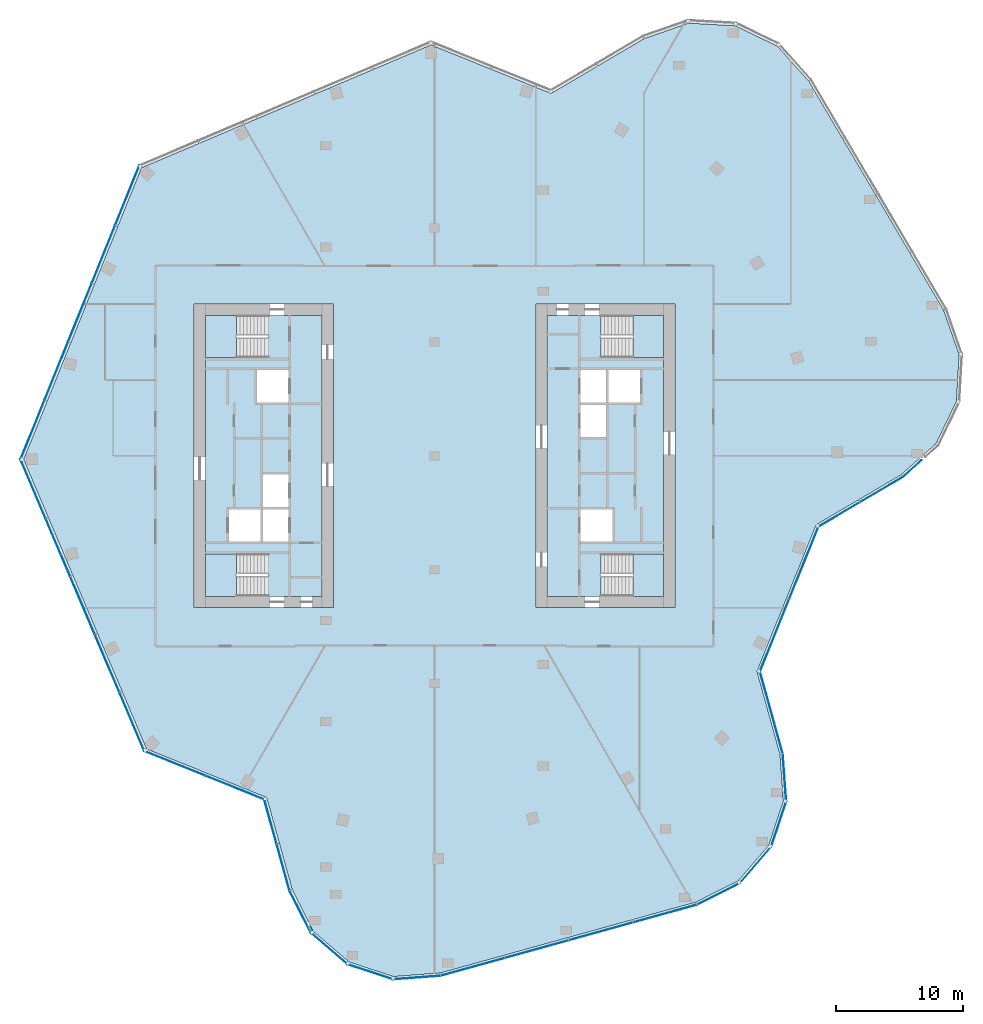
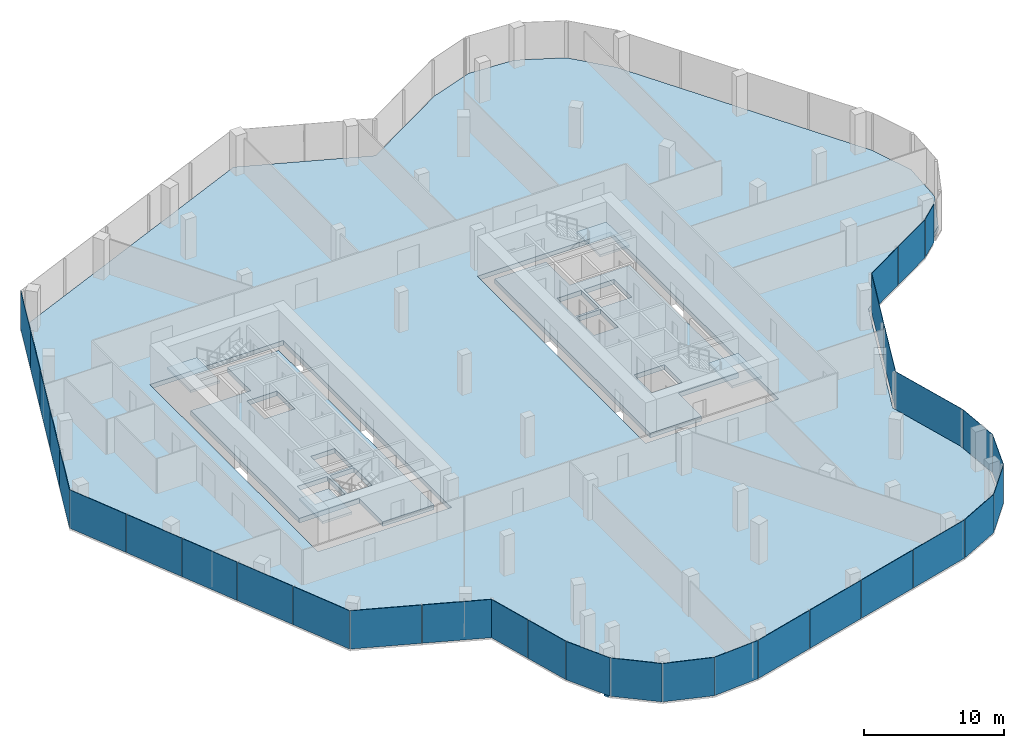
# One storey, part 10 of 16: 32 plates, 7 slabs, 1 member, 21 elements without a shape of their own.
"""IFC4 building model written with IfcOpenShell, lengths in metres."""

from ifc_helpers import new_model, si_unit, direction, frame, origin, origin_2d, place, context, subcontext, project, spatial, polyline, rectangle, outline, extrude, material, layer, layer_set, material_profile, profile_set, type_object, element, aggregate, save


model = new_model("IFC4")

# Units and contexts
model_context = context("Model", 3, precision=1e-05, world=origin(), true_north=direction((0.0, 1.0)))
body_context = subcontext(model_context, "Body", "Model", "MODEL_VIEW")
ifc_project = project(units=[si_unit("LENGTHUNIT", "METRE"), si_unit("AREAUNIT", "SQUARE_METRE"), si_unit("VOLUMEUNIT", "CUBIC_METRE"), si_unit("PLANEANGLEUNIT", "RADIAN"), si_unit("MASSUNIT", "GRAM", prefix="KILO")], contexts=[model_context])

# Site, building, storey
site_placement = place(None, origin())
site = spatial("IfcSite", under=ifc_project, at=site_placement, CompositionType="ELEMENT")
building_placement = place(site_placement, origin())
building = spatial("IfcBuilding", under=site, at=building_placement, Name="Orlundy Tower", CompositionType="ELEMENT")
storey_placement = place(building_placement, frame((0.0, 0.0, 285.89990234375)))
storey = spatial("IfcBuildingStorey", under=building, at=storey_placement, Name="L76", CompositionType="ELEMENT", Elevation=285.89990234375)

# Curtain wall, member
ifc_material_1 = material(Name="Aluminium bronze anodised", Category="aluminium")
curtain_wall_type = type_object("IfcCurtainWallType", Name="CW6 wall", PredefinedType="NOTDEFINED", material=ifc_material_1)
curtain_wall_1_placement = place(storey_placement, origin())
curtain_wall_1 = element("IfcCurtainWall", 1, at=curtain_wall_1_placement, inside=storey, type_object=curtain_wall_type, Name="CW6 run 011", PredefinedType="NOTDEFINED")
ifc_material_2 = material(Name="Aluminium bronze anodised", Category="aluminium")
ifc_material_profile = material_profile(ifc_material_2, rectangle(XDim=0.239990234375, YDim=0.159912109375, at=origin_2d()), Name="CW6 transom 240x160")
ifc_profile_set = profile_set([ifc_material_profile], Name="Aluminium bronze anodised")
member_type = type_object("IfcMemberType", Name="CW6 transom 240x160", PredefinedType="USERDEFINED", material=ifc_profile_set)
member_placement = place(storey_placement, frame((-9.7373046875, -37.5322265625, -0.31982421875), z_axis=(-0.450437701158, 0.892807861399, 0.0), x_axis=(-0.892807861399, -0.450437701158, 0.0)))
member = element("IfcMember", 2, at=member_placement, type_object=member_type, Name="CW6 transom", ObjectType="TRANSOM", PredefinedType="USERDEFINED", context=body_context, shape_type="SweptSolid", body=[
    extrude(rectangle(XDim=0.239990234375, YDim=0.159912109375, at=origin_2d()), origin(), (0.0, 0.0, 1.0), 0.363037109375),
])

# Curtain wall, plates
curtain_wall_2_placement = place(storey_placement, origin())
curtain_wall_2 = element("IfcCurtainWall", 3, at=curtain_wall_2_placement, inside=storey, type_object=curtain_wall_type, Name="CW6 run 00", PredefinedType="NOTDEFINED")
ifc_material_3 = material(Name="Tinted glass", Category="glass")
ifc_layer_1 = layer(ifc_material_3, 0.035888671875)
ifc_layer_set_1 = layer_set([ifc_layer_1], Name="CW6 glass panel 36")
plate_type = type_object("IfcPlateType", Name="CW6 glass panel 36", PredefinedType="CURTAIN_PANEL", material=ifc_layer_set_1)
plate_1_placement = place(storey_placement, frame((35.306396484375, -2.672607421875, -0.23974609375), z_axis=(0.0, 0.0, 1.0), x_axis=(-0.861613706628, -0.507564597416, 0.0)))
plate_1 = element("IfcPlate", 4, at=plate_1_placement, type_object=plate_type, Name="CW6 panel", PredefinedType="CURTAIN_PANEL", context=body_context, shape_type="SweptSolid", body=[
    extrude(rectangle(XDim=3.86376953125, YDim=0.035888671875, at=origin_2d()), origin(), (0.0, 0.0, 1.0), 3.340087890625),
])
plate_2_placement = place(storey_placement, frame((31.965087890625, -4.640869140625, -0.23974609375), z_axis=(0.0, 0.0, 1.0), x_axis=(-0.861613706628, -0.507564597416, 0.0)))
plate_2 = element("IfcPlate", 5, at=plate_2_placement, type_object=plate_type, Name="CW6 panel", PredefinedType="CURTAIN_PANEL", context=body_context, shape_type="SweptSolid", body=[
    extrude(rectangle(XDim=3.791748046875, YDim=0.035888671875, at=origin_2d()), origin(), (0.0, 0.0, 1.0), 3.340087890625),
])
aggregate(curtain_wall_2, [plate_1, plate_2])

curtain_wall_3_placement = place(storey_placement, origin())
curtain_wall_3 = element("IfcCurtainWall", 6, at=curtain_wall_3_placement, inside=storey, type_object=curtain_wall_type, Name="CW6 run 01", PredefinedType="NOTDEFINED")
plate_3_placement = place(storey_placement, frame((29.18115234375, -8.45068359375, -0.23974609375), z_axis=(0.0, 0.0, 1.0), x_axis=(-0.37457825326, -0.927195304229, 0.0)))
plate_3 = element("IfcPlate", 7, at=plate_3_placement, type_object=plate_type, Name="CW6 panel", PredefinedType="CURTAIN_PANEL", context=body_context, shape_type="SweptSolid", body=[
    extrude(rectangle(XDim=6.142578125, YDim=0.035888671875, at=origin_2d()), origin(), (0.0, 0.0, 1.0), 3.340087890625),
])
plate_4_placement = place(storey_placement, frame((26.861572265625, -14.192626953125, -0.23974609375), z_axis=(0.0, 0.0, 1.0), x_axis=(-0.37457825326, -0.927195304229, 0.0)))
plate_4 = element("IfcPlate", 8, at=plate_4_placement, type_object=plate_type, Name="CW6 panel", PredefinedType="CURTAIN_PANEL", context=body_context, shape_type="SweptSolid", body=[
    extrude(rectangle(XDim=6.142578125, YDim=0.035888671875, at=origin_2d()), origin(), (0.0, 0.0, 1.0), 3.340087890625),
])
aggregate(curtain_wall_3, [plate_3, plate_4])

# Curtain wall, plate
curtain_wall_4_placement = place(storey_placement, origin())
curtain_wall_4 = element("IfcCurtainWall", 9, at=curtain_wall_4_placement, inside=storey, type_object=curtain_wall_type, Name="CW6 run 02", PredefinedType="NOTDEFINED")
plate_5_placement = place(storey_placement, frame((26.607177734375, -20.27099609375, -0.23974609375), z_axis=(0.0, 0.0, 1.0), x_axis=(0.26725609635, -0.963625538767, 0.0)))
plate_5 = element("IfcPlate", 10, at=plate_5_placement, type_object=plate_type, Name="CW6 panel", PredefinedType="CURTAIN_PANEL", context=body_context, shape_type="SweptSolid", body=[
    extrude(rectangle(XDim=6.705078125, YDim=0.035888671875, at=origin_2d()), origin(), (0.0, 0.0, 1.0), 3.340087890625),
])
aggregate(curtain_wall_4, [plate_5])

curtain_wall_5_placement = place(storey_placement, origin())
curtain_wall_5 = element("IfcCurtainWall", 11, at=curtain_wall_5_placement, inside=storey, type_object=curtain_wall_type, Name="CW6 run 03", PredefinedType="NOTDEFINED")
plate_6_placement = place(storey_placement, frame((27.650146484375, -25.419677734375, -0.23974609375), z_axis=(0.0, 0.0, 1.0), x_axis=(0.073911430304, -0.997264809602, 0.0)))
plate_6 = element("IfcPlate", 12, at=plate_6_placement, type_object=plate_type, Name="CW6 panel", PredefinedType="CURTAIN_PANEL", context=body_context, shape_type="SweptSolid", body=[
    extrude(rectangle(XDim=3.748046875, YDim=0.035888671875, at=origin_2d()), origin(), (0.0, 0.0, 1.0), 3.340087890625),
])
aggregate(curtain_wall_5, [plate_6])

curtain_wall_6_placement = place(storey_placement, origin())
curtain_wall_6 = element("IfcCurtainWall", 13, at=curtain_wall_6_placement, inside=storey, type_object=curtain_wall_type, Name="CW6 run 04", PredefinedType="NOTDEFINED")
plate_7_placement = place(storey_placement, frame((27.19482421875, -29.090576171875, -0.23974609375), z_axis=(0.0, 0.0, 1.0), x_axis=(-0.312988116173, -0.949757042161, 0.0)))
plate_7 = element("IfcPlate", 14, at=plate_7_placement, type_object=plate_type, Name="CW6 panel", PredefinedType="CURTAIN_PANEL", context=body_context, shape_type="SweptSolid", body=[
    extrude(rectangle(XDim=3.79443359375, YDim=0.035888671875, at=origin_2d()), origin(), (0.0, 0.0, 1.0), 3.340087890625),
])
aggregate(curtain_wall_6, [plate_7])

curtain_wall_7_placement = place(storey_placement, origin())
curtain_wall_7 = element("IfcCurtainWall", 15, at=curtain_wall_7_placement, inside=storey, type_object=curtain_wall_type, Name="CW6 run 05", PredefinedType="NOTDEFINED")
plate_8_placement = place(storey_placement, frame((25.362060546875, -32.329833984375, -0.23974609375), z_axis=(0.0, 0.0, 1.0), x_axis=(-0.652832887024, -0.757501961463, 0.0)))
plate_8 = element("IfcPlate", 16, at=plate_8_placement, type_object=plate_type, Name="CW6 panel", PredefinedType="CURTAIN_PANEL", context=body_context, shape_type="SweptSolid", body=[
    extrude(rectangle(XDim=3.795166015625, YDim=0.035888671875, at=origin_2d()), origin(), (0.0, 0.0, 1.0), 3.340087890625),
])
aggregate(curtain_wall_7, [plate_8])

curtain_wall_8_placement = place(storey_placement, origin())
curtain_wall_8 = element("IfcCurtainWall", 17, at=curtain_wall_8_placement, inside=storey, type_object=curtain_wall_type, Name="CW6 run 06", PredefinedType="NOTDEFINED")
plate_9_placement = place(storey_placement, frame((22.4501953125, -34.610595703125, -0.23974609375), z_axis=(0.0, 0.0, 1.0), x_axis=(-0.893019858419, -0.450017257968, 0.0)))
plate_9 = element("IfcPlate", 18, at=plate_9_placement, type_object=plate_type, Name="CW6 panel", PredefinedType="CURTAIN_PANEL", context=body_context, shape_type="SweptSolid", body=[
    extrude(rectangle(XDim=3.747314453125, YDim=0.035888671875, at=origin_2d()), origin(), (0.0, 0.0, 1.0), 3.340087890625),
])
aggregate(curtain_wall_8, [plate_9])

# Curtain wall, plates
curtain_wall_9_placement = place(storey_placement, origin())
curtain_wall_9 = element("IfcCurtainWall", 19, at=curtain_wall_9_placement, inside=storey, type_object=curtain_wall_type, Name="CW6 run 07", PredefinedType="NOTDEFINED")
plate_10_placement = place(storey_placement, frame((18.21435546875, -36.16943359375, -0.23974609375), z_axis=(0.0, 0.0, 1.0), x_axis=(-0.963629710974, -0.267241052476, 0.0)))
plate_10 = element("IfcPlate", 20, at=plate_10_placement, type_object=plate_type, Name="CW6 panel", PredefinedType="CURTAIN_PANEL", context=body_context, shape_type="SweptSolid", body=[
    extrude(rectangle(XDim=5.2216796875, YDim=0.035888671875, at=origin_2d()), origin(), (0.0, 0.0, 1.0), 3.340087890625),
])
plate_11_placement = place(storey_placement, frame((13.144775390625, -37.575439453125, -0.23974609375), z_axis=(0.0, 0.0, 1.0), x_axis=(-0.963629710974, -0.267241052476, 0.0)))
plate_11 = element("IfcPlate", 21, at=plate_11_placement, type_object=plate_type, Name="CW6 panel", PredefinedType="CURTAIN_PANEL", context=body_context, shape_type="SweptSolid", body=[
    extrude(rectangle(XDim=5.199951171875, YDim=0.035888671875, at=origin_2d()), origin(), (0.0, 0.0, 1.0), 3.340087890625),
])
plate_12_placement = place(storey_placement, frame((8.0859375, -38.978515625, -0.23974609375), z_axis=(0.0, 0.0, 1.0), x_axis=(-0.963629710974, -0.267241052476, 0.0)))
plate_12 = element("IfcPlate", 22, at=plate_12_placement, type_object=plate_type, Name="CW6 panel", PredefinedType="CURTAIN_PANEL", context=body_context, shape_type="SweptSolid", body=[
    extrude(rectangle(XDim=5.199951171875, YDim=0.035888671875, at=origin_2d()), origin(), (0.0, 0.0, 1.0), 3.340087890625),
])
plate_13_placement = place(storey_placement, frame((3.016357421875, -40.38427734375, -0.23974609375), z_axis=(0.0, 0.0, 1.0), x_axis=(-0.963629710974, -0.267241052476, 0.0)))
plate_13 = element("IfcPlate", 23, at=plate_13_placement, type_object=plate_type, Name="CW6 panel", PredefinedType="CURTAIN_PANEL", context=body_context, shape_type="SweptSolid", body=[
    extrude(rectangle(XDim=5.2216796875, YDim=0.035888671875, at=origin_2d()), origin(), (0.0, 0.0, 1.0), 3.340087890625),
])
aggregate(curtain_wall_9, [plate_10, plate_11, plate_12, plate_13])

# Curtain wall, plate
curtain_wall_10_placement = place(storey_placement, origin())
curtain_wall_10 = element("IfcCurtainWall", 24, at=curtain_wall_10_placement, inside=storey, type_object=curtain_wall_type, Name="CW6 run 08", PredefinedType="NOTDEFINED")
plate_14_placement = place(storey_placement, frame((-1.417724609375, -41.229736328125, -0.23974609375), z_axis=(0.0, 0.0, 1.0), x_axis=(-0.99724489086, -0.074179698392, 0.0)))
plate_14 = element("IfcPlate", 25, at=plate_14_placement, type_object=plate_type, Name="CW6 panel", PredefinedType="CURTAIN_PANEL", context=body_context, shape_type="SweptSolid", body=[
    extrude(rectangle(XDim=3.748046875, YDim=0.035888671875, at=origin_2d()), origin(), (0.0, 0.0, 1.0), 3.340087890625),
])
aggregate(curtain_wall_10, [plate_14])

curtain_wall_11_placement = place(storey_placement, origin())
curtain_wall_11 = element("IfcCurtainWall", 26, at=curtain_wall_11_placement, inside=storey, type_object=curtain_wall_type, Name="CW6 run 09", PredefinedType="NOTDEFINED")
plate_15_placement = place(storey_placement, frame((-5.088623046875, -40.7744140625, -0.23974609375), z_axis=(0.0, 0.0, 1.0), x_axis=(-0.949676811134, 0.313231470951, 0.0)))
plate_15 = element("IfcPlate", 27, at=plate_15_placement, type_object=plate_type, Name="CW6 panel", PredefinedType="CURTAIN_PANEL", context=body_context, shape_type="SweptSolid", body=[
    extrude(rectangle(XDim=3.794921875, YDim=0.035888671875, at=origin_2d()), origin(), (0.0, 0.0, 1.0), 3.340087890625),
])
aggregate(curtain_wall_11, [plate_15])

curtain_wall_12_placement = place(storey_placement, origin())
curtain_wall_12 = element("IfcCurtainWall", 28, at=curtain_wall_12_placement, inside=storey, type_object=curtain_wall_type, Name="CW6 run 010", PredefinedType="NOTDEFINED")
plate_16_placement = place(storey_placement, frame((-8.327880859375, -38.941650390625, -0.23974609375), z_axis=(0.0, 0.0, 1.0), x_axis=(-0.757635374241, 0.652678052104, 0.0)))
plate_16 = element("IfcPlate", 29, at=plate_16_placement, type_object=plate_type, Name="CW6 panel", PredefinedType="CURTAIN_PANEL", context=body_context, shape_type="SweptSolid", body=[
    extrude(rectangle(XDim=3.794677734375, YDim=0.035888671875, at=origin_2d()), origin(), (0.0, 0.0, 1.0), 3.340087890625),
])
aggregate(curtain_wall_12, [plate_16])

# Plate
plate_17_placement = place(storey_placement, frame((-10.608642578125, -36.030029296875, -0.23974609375), z_axis=(0.0, 0.0, 1.0), x_axis=(-0.450017257968, 0.893019858419, 0.0)))
plate_17 = element("IfcPlate", 30, at=plate_17_placement, type_object=plate_type, Name="CW6 panel", PredefinedType="CURTAIN_PANEL", context=body_context, shape_type="SweptSolid", body=[
    extrude(rectangle(XDim=3.74755859375, YDim=0.035888671875, at=origin_2d()), origin(), (0.0, 0.0, 1.0), 3.340087890625),
])

aggregate(curtain_wall_1, [plate_17, member])

# Curtain wall, plates
curtain_wall_13_placement = place(storey_placement, origin())
curtain_wall_13 = element("IfcCurtainWall", 31, at=curtain_wall_13_placement, inside=storey, type_object=curtain_wall_type, Name="CW6 run 012", PredefinedType="NOTDEFINED")
plate_18_placement = place(storey_placement, frame((-11.96923828125, -32.509033203125, -0.23974609375), z_axis=(0.0, 0.0, 1.0), x_axis=(-0.267226188967, 0.963633832911, 0.0)))
plate_18 = element("IfcPlate", 32, at=plate_18_placement, type_object=plate_type, Name="CW6 panel", PredefinedType="CURTAIN_PANEL", context=body_context, shape_type="SweptSolid", body=[
    extrude(rectangle(XDim=3.73828125, YDim=0.035888671875, at=origin_2d()), origin(), (0.0, 0.0, 1.0), 3.340087890625),
])
plate_19_placement = place(storey_placement, frame((-12.96728515625, -28.90966796875, -0.23974609375), z_axis=(0.0, 0.0, 1.0), x_axis=(-0.267226188967, 0.963633832911, 0.0)))
plate_19 = element("IfcPlate", 33, at=plate_19_placement, type_object=plate_type, Name="CW6 panel", PredefinedType="CURTAIN_PANEL", context=body_context, shape_type="SweptSolid", body=[
    extrude(rectangle(XDim=3.632080078125, YDim=0.035888671875, at=origin_2d()), origin(), (0.0, 0.0, 1.0), 3.340087890625),
])
aggregate(curtain_wall_13, [plate_18, plate_19])

curtain_wall_14_placement = place(storey_placement, origin())
curtain_wall_14 = element("IfcCurtainWall", 34, at=curtain_wall_14_placement, inside=storey, type_object=curtain_wall_type, Name="CW6 run 013", PredefinedType="NOTDEFINED")
plate_20_placement = place(storey_placement, frame((-15.763427734375, -26.2265625, -0.23974609375), z_axis=(0.0, 0.0, 1.0), x_axis=(-0.927218353808, 0.374521193474, 0.0)))
plate_20 = element("IfcPlate", 35, at=plate_20_placement, type_object=plate_type, Name="CW6 panel", PredefinedType="CURTAIN_PANEL", context=body_context, shape_type="SweptSolid", body=[
    extrude(rectangle(XDim=4.984130859375, YDim=0.035888671875, at=origin_2d()), origin(), (0.0, 0.0, 1.0), 3.340087890625),
])
plate_21_placement = place(storey_placement, frame((-20.5244140625, -24.303466796875, -0.23974609375), z_axis=(0.0, 0.0, 1.0), x_axis=(-0.927218353808, 0.374521193474, 0.0)))
plate_21 = element("IfcPlate", 36, at=plate_21_placement, type_object=plate_type, Name="CW6 panel", PredefinedType="CURTAIN_PANEL", context=body_context, shape_type="SweptSolid", body=[
    extrude(rectangle(XDim=5.185546875, YDim=0.035888671875, at=origin_2d()), origin(), (0.0, 0.0, 1.0), 3.340087890625),
])
aggregate(curtain_wall_14, [plate_20, plate_21])

curtain_wall_15_placement = place(storey_placement, origin())
curtain_wall_15 = element("IfcCurtainWall", 37, at=curtain_wall_15_placement, inside=storey, type_object=curtain_wall_type, Name="CW6 run 014", PredefinedType="NOTDEFINED")
plate_22_placement = place(storey_placement, frame((-23.91259765625, -21.013671875, -0.23974609375), z_axis=(0.0, 0.0, 1.0), x_axis=(-0.390726531244, 0.920506804854, 0.0)))
plate_22 = element("IfcPlate", 38, at=plate_22_placement, type_object=plate_type, Name="CW6 panel", PredefinedType="CURTAIN_PANEL", context=body_context, shape_type="SweptSolid", body=[
    extrude(rectangle(XDim=5.03759765625, YDim=0.035888671875, at=origin_2d()), origin(), (0.0, 0.0, 1.0), 3.340087890625),
])
plate_23_placement = place(storey_placement, frame((-25.877685546875, -16.38427734375, -0.23974609375), z_axis=(0.0, 0.0, 1.0), x_axis=(-0.390726531244, 0.920506804854, 0.0)))
plate_23 = element("IfcPlate", 39, at=plate_23_placement, type_object=plate_type, Name="CW6 panel", PredefinedType="CURTAIN_PANEL", context=body_context, shape_type="SweptSolid", body=[
    extrude(rectangle(XDim=4.920654296875, YDim=0.035888671875, at=origin_2d()), origin(), (0.0, 0.0, 1.0), 3.340087890625),
])
plate_24_placement = place(storey_placement, frame((-27.81982421875, -11.808837890625, -0.23974609375), z_axis=(0.0, 0.0, 1.0), x_axis=(-0.390726531244, 0.920506804854, 0.0)))
plate_24 = element("IfcPlate", 40, at=plate_24_placement, type_object=plate_type, Name="CW6 panel", PredefinedType="CURTAIN_PANEL", context=body_context, shape_type="SweptSolid", body=[
    extrude(rectangle(XDim=4.920654296875, YDim=0.035888671875, at=origin_2d()), origin(), (0.0, 0.0, 1.0), 3.340087890625),
])
plate_25_placement = place(storey_placement, frame((-29.761962890625, -7.233154296875, -0.23974609375), z_axis=(0.0, 0.0, 1.0), x_axis=(-0.390726531244, 0.920506804854, 0.0)))
plate_25 = element("IfcPlate", 41, at=plate_25_placement, type_object=plate_type, Name="CW6 panel", PredefinedType="CURTAIN_PANEL", context=body_context, shape_type="SweptSolid", body=[
    extrude(rectangle(XDim=4.920654296875, YDim=0.035888671875, at=origin_2d()), origin(), (0.0, 0.0, 1.0), 3.340087890625),
])
plate_26_placement = place(storey_placement, frame((-31.72705078125, -2.603759765625, -0.23974609375), z_axis=(0.0, 0.0, 1.0), x_axis=(-0.390726531244, 0.920506804854, 0.0)))
plate_26 = element("IfcPlate", 42, at=plate_26_placement, type_object=plate_type, Name="CW6 panel", PredefinedType="CURTAIN_PANEL", context=body_context, shape_type="SweptSolid", body=[
    extrude(rectangle(XDim=5.03759765625, YDim=0.035888671875, at=origin_2d()), origin(), (0.0, 0.0, 1.0), 3.340087890625),
])
aggregate(curtain_wall_15, [plate_22, plate_23, plate_24, plate_25, plate_26])

curtain_wall_16_placement = place(storey_placement, origin())
curtain_wall_16 = element("IfcCurtainWall", 43, at=curtain_wall_16_placement, inside=storey, type_object=curtain_wall_type, Name="CW6 run 015", PredefinedType="NOTDEFINED")
plate_27_placement = place(storey_placement, frame((-31.767822265625, 2.05029296875, -0.23974609375), z_axis=(0.0, 0.0, 1.0), x_axis=(0.374607412456, 0.927183523653, 0.0)))
plate_27 = element("IfcPlate", 44, at=plate_27_placement, type_object=plate_type, Name="CW6 panel", PredefinedType="CURTAIN_PANEL", context=body_context, shape_type="SweptSolid", body=[
    extrude(rectangle(XDim=5.03759765625, YDim=0.035888671875, at=origin_2d()), origin(), (0.0, 0.0, 1.0), 3.340087890625),
])
plate_28_placement = place(storey_placement, frame((-29.8837890625, 6.713134765625, -0.23974609375), z_axis=(0.0, 0.0, 1.0), x_axis=(0.374607412456, 0.927183523653, 0.0)))
plate_28 = element("IfcPlate", 45, at=plate_28_placement, type_object=plate_type, Name="CW6 panel", PredefinedType="CURTAIN_PANEL", context=body_context, shape_type="SweptSolid", body=[
    extrude(rectangle(XDim=4.920654296875, YDim=0.035888671875, at=origin_2d()), origin(), (0.0, 0.0, 1.0), 3.340087890625),
])
plate_29_placement = place(storey_placement, frame((-28.021728515625, 11.32177734375, -0.23974609375), z_axis=(0.0, 0.0, 1.0), x_axis=(0.374607412456, 0.927183523653, 0.0)))
plate_29 = element("IfcPlate", 46, at=plate_29_placement, type_object=plate_type, Name="CW6 panel", PredefinedType="CURTAIN_PANEL", context=body_context, shape_type="SweptSolid", body=[
    extrude(rectangle(XDim=4.920654296875, YDim=0.035888671875, at=origin_2d()), origin(), (0.0, 0.0, 1.0), 3.340087890625),
])
plate_30_placement = place(storey_placement, frame((-26.159912109375, 15.93017578125, -0.23974609375), z_axis=(0.0, 0.0, 1.0), x_axis=(0.374607412456, 0.927183523653, 0.0)))
plate_30 = element("IfcPlate", 47, at=plate_30_placement, type_object=plate_type, Name="CW6 panel", PredefinedType="CURTAIN_PANEL", context=body_context, shape_type="SweptSolid", body=[
    extrude(rectangle(XDim=4.920654296875, YDim=0.035888671875, at=origin_2d()), origin(), (0.0, 0.0, 1.0), 3.340087890625),
])
plate_31_placement = place(storey_placement, frame((-24.27587890625, 20.593017578125, -0.23974609375), z_axis=(0.0, 0.0, 1.0), x_axis=(0.374607412456, 0.927183523653, 0.0)))
plate_31 = element("IfcPlate", 48, at=plate_31_placement, type_object=plate_type, Name="CW6 panel", PredefinedType="CURTAIN_PANEL", context=body_context, shape_type="SweptSolid", body=[
    extrude(rectangle(XDim=5.03759765625, YDim=0.035888671875, at=origin_2d()), origin(), (0.0, 0.0, 1.0), 3.340087890625),
])
aggregate(curtain_wall_16, [plate_27, plate_28, plate_29, plate_30, plate_31])

# Curtain wall, plate
curtain_wall_17_placement = place(storey_placement, origin())
curtain_wall_17 = element("IfcCurtainWall", 49, at=curtain_wall_17_placement, inside=storey, type_object=curtain_wall_type, Name="CW6 run 027", PredefinedType="NOTDEFINED")
plate_32_placement = place(storey_placement, frame((37.743896484375, -1.0087890625, -0.23974609375), z_axis=(0.0, 0.0, 1.0), x_axis=(-0.746157794518, -0.665769138425, 0.0)))
plate_32 = element("IfcPlate", 50, at=plate_32_placement, type_object=plate_type, Name="CW6 panel", PredefinedType="CURTAIN_PANEL", context=body_context, shape_type="SweptSolid", body=[
    extrude(rectangle(XDim=1.9638671875, YDim=0.035888671875, at=origin_2d()), origin(), (0.0, 0.0, 1.0), 3.340087890625),
])
aggregate(curtain_wall_17, [plate_32])

# Slabs
ifc_material_4 = material(Name="Concrete C50/60", Category="concrete")
ifc_layer_2 = layer(ifc_material_4, 0.409912109375)
ifc_layer_set_2 = layer_set([ifc_layer_2], Name="Core Floor Slab 410")
slab_type_1 = type_object("IfcSlabType", Name="Core Floor Slab 410", PredefinedType="FLOOR", material=ifc_layer_set_2)
slab_1_placement = place(storey_placement, frame((0.0, 0.0, -0.409912109375)))
element("IfcSlab", 51, at=slab_1_placement, inside=storey, type_object=slab_type_1, Name="Core floor W58", PredefinedType="FLOOR", context=body_context, shape_type="SweptSolid", body=[
    extrude(outline(polyline([(-18.10009765625, 7.75), (-13.14501953125, 7.75), (-13.14501953125, 11.10009765625), (-8.89990234375, 11.10009765625), (-8.89990234375, -11.10009765625), (-13.14501953125, -11.10009765625), (-13.14501953125, -7.75), (-18.10009765625, -7.75), (-18.10009765625, 7.75)]), holes=[polyline([(-13.5400390625, -4.22509765625), (-13.5400390625, -6.77490234375), (-11.5400390625, -6.77490234375), (-11.5400390625, -4.22509765625), (-13.5400390625, -4.22509765625)]), polyline([(-13.739990234375, -4.22509765625), (-16.239990234375, -4.22509765625), (-16.239990234375, -6.77490234375), (-13.739990234375, -6.77490234375), (-13.739990234375, -4.22509765625)]), polyline([(-11.5400390625, -4.02490234375), (-11.5400390625, -1.47509765625), (-13.5400390625, -1.47509765625), (-13.5400390625, -4.02490234375), (-11.5400390625, -4.02490234375)]), polyline([(-14.0400390625, 4.22509765625), (-11.5400390625, 4.22509765625), (-11.5400390625, 6.77490234375), (-14.0400390625, 6.77490234375), (-14.0400390625, 4.22509765625)])]), origin(), (0.0, 0.0, 1.0), 0.409912109375),
])
slab_2_placement = place(storey_placement, frame((0.0, 0.0, -0.409912109375)))
element("IfcSlab", 52, at=slab_2_placement, inside=storey, type_object=slab_type_1, Name="Core floor E58", PredefinedType="FLOOR", context=body_context, shape_type="SweptSolid", body=[
    extrude(outline(polyline([(18.10009765625, -7.75), (13.14501953125, -7.75), (13.14501953125, -11.10009765625), (8.89990234375, -11.10009765625), (8.89990234375, 11.10009765625), (13.14501953125, 11.10009765625), (13.14501953125, 7.75), (18.10009765625, 7.75), (18.10009765625, -7.75)]), holes=[polyline([(13.5400390625, 4.22509765625), (13.5400390625, 6.77490234375), (11.5400390625, 6.77490234375), (11.5400390625, 4.22509765625), (13.5400390625, 4.22509765625)]), polyline([(13.739990234375, 4.22509765625), (16.239990234375, 4.22509765625), (16.239990234375, 6.77490234375), (13.739990234375, 6.77490234375), (13.739990234375, 4.22509765625)]), polyline([(11.5400390625, 4.02490234375), (11.5400390625, 1.47509765625), (13.5400390625, 1.47509765625), (13.5400390625, 4.02490234375), (11.5400390625, 4.02490234375)]), polyline([(14.0400390625, -4.22509765625), (11.5400390625, -4.22509765625), (11.5400390625, -6.77490234375), (14.0400390625, -6.77490234375), (14.0400390625, -4.22509765625)])]), origin(), (0.0, 0.0, 1.0), 0.409912109375),
])

# Stair, slab
ifc_material_5 = material(Name="Concrete C50/60", Category="concrete")
stair_type = type_object("IfcStairType", Name="Exit Stair 20 risers", PredefinedType="HALF_TURN_STAIR", material=ifc_material_5)
stair_1_placement = place(storey_placement, origin())
stair_1 = element("IfcStair", 53, at=stair_1_placement, inside=storey, type_object=stair_type, Name="L76 Exit Stair ST-W1", PredefinedType="HALF_TURN_STAIR")
ifc_material_6 = material(Name="Concrete C50/60", Category="concrete")
ifc_layer_3 = layer(ifc_material_6, 0.199951171875)
ifc_layer_set_3 = layer_set([ifc_layer_3], Name="Exit Stair Landing")
slab_type_2 = type_object("IfcSlabType", Name="Exit Stair Landing", PredefinedType="LANDING", material=ifc_layer_set_3)
slab_3_placement = place(storey_placement, frame((0.0, 0.0, 1.550048828125)))
slab_3 = element("IfcSlab", 54, at=slab_3_placement, type_object=slab_type_2, Name="ST-W1 landing 1", PredefinedType="LANDING", context=body_context, shape_type="SweptSolid", body=[
    extrude(outline(polyline([(-15.659912109375, 11.10009765625), (-18.10009765625, 11.10009765625), (-18.10009765625, 7.75), (-15.659912109375, 7.75), (-15.659912109375, 11.10009765625)])), origin(), (0.0, 0.0, 1.0), 0.199951171875),
])
aggregate(stair_1, [slab_3])

stair_2_placement = place(storey_placement, origin())
stair_2 = element("IfcStair", 55, at=stair_2_placement, inside=storey, type_object=stair_type, Name="L76 Exit Stair ST-W2", PredefinedType="HALF_TURN_STAIR")
slab_4_placement = place(storey_placement, frame((0.0, 0.0, 1.550048828125)))
slab_4 = element("IfcSlab", 56, at=slab_4_placement, type_object=slab_type_2, Name="ST-W2 landing 1", PredefinedType="LANDING", context=body_context, shape_type="SweptSolid", body=[
    extrude(outline(polyline([(-15.659912109375, -7.75), (-18.10009765625, -7.75), (-18.10009765625, -11.10009765625), (-15.659912109375, -11.10009765625), (-15.659912109375, -7.75)])), origin(), (0.0, 0.0, 1.0), 0.199951171875),
])
aggregate(stair_2, [slab_4])

stair_3_placement = place(storey_placement, origin())
stair_3 = element("IfcStair", 57, at=stair_3_placement, inside=storey, type_object=stair_type, Name="L76 Exit Stair ST-E1", PredefinedType="HALF_TURN_STAIR")
slab_5_placement = place(storey_placement, frame((0.0, 0.0, 1.550048828125)))
slab_5 = element("IfcSlab", 58, at=slab_5_placement, type_object=slab_type_2, Name="ST-E1 landing 1", PredefinedType="LANDING", context=body_context, shape_type="SweptSolid", body=[
    extrude(outline(polyline([(15.659912109375, -11.10009765625), (18.10009765625, -11.10009765625), (18.10009765625, -7.75), (15.659912109375, -7.75), (15.659912109375, -11.10009765625)])), origin(), (0.0, 0.0, 1.0), 0.199951171875),
])
aggregate(stair_3, [slab_5])

stair_4_placement = place(storey_placement, origin())
stair_4 = element("IfcStair", 59, at=stair_4_placement, inside=storey, type_object=stair_type, Name="L76 Exit Stair ST-E2", PredefinedType="HALF_TURN_STAIR")
slab_6_placement = place(storey_placement, frame((0.0, 0.0, 1.550048828125)))
slab_6 = element("IfcSlab", 60, at=slab_6_placement, type_object=slab_type_2, Name="ST-E2 landing 1", PredefinedType="LANDING", context=body_context, shape_type="SweptSolid", body=[
    extrude(outline(polyline([(15.659912109375, 7.75), (18.10009765625, 7.75), (18.10009765625, 11.10009765625), (15.659912109375, 11.10009765625), (15.659912109375, 7.75)])), origin(), (0.0, 0.0, 1.0), 0.199951171875),
])
aggregate(stair_4, [slab_6])

# Slab
ifc_material_7 = material(Name="Concrete C45/55", Category="concrete")
ifc_layer_4 = layer(ifc_material_7, 0.39990234375)
ifc_layer_set_4 = layer_set([ifc_layer_4], Name="FLOOR SLAB THICK 400 C45/55")
slab_type_3 = type_object("IfcSlabType", Name="FLOOR SLAB THICK 400 C45/55", PredefinedType="FLOOR", material=ifc_layer_set_4)
slab_7_placement = place(storey_placement, frame((0.0, 0.0, -0.39990234375)))
element("IfcSlab", 61, at=slab_7_placement, inside=storey, type_object=slab_type_3, Name="Floor slab L76", PredefinedType="FLOOR", context=body_context, shape_type="SweptSolid", body=[
    extrude(outline(polyline([(30.154052734375, -5.449951171875), (25.47705078125, -17.027099609375), (27.2900390625, -23.56396484375), (27.56396484375, -27.260986328125), (26.404052734375, -30.781005859375), (23.98388671875, -33.589111328125), (20.674072265625, -35.257080078125), (0.43798828125, -40.868896484375), (-3.259033203125, -41.14404296875), (-6.779052734375, -39.98291015625), (-9.5869140625, -37.56396484375), (-11.2548828125, -34.25390625), (-13.26806640625, -26.9951171875), (-22.760009765625, -23.160888671875), (-32.470947265625, -0.282958984375), (-23.160888671875, 22.760009765625), (-0.282958984375, 32.470947265625), (9.2080078125, 28.635986328125), (16.56005859375, 32.966064453125), (20.05908203125, 34.18798828125), (23.760009765625, 33.97802734375), (27.09912109375, 32.367919921875), (29.56689453125, 29.60205078125), (40.22509765625, 11.508056640625), (41.447021484375, 8.009033203125), (41.237060546875, 4.30810546875), (39.626953125, 0.968994140625), (36.861083984375, -1.4990234375), (30.154052734375, -5.449951171875)]), holes=[polyline([(-8.0, -12.0), (-8.0, 12.0), (-19.0, 12.0), (-19.0, -12.0), (-8.0, -12.0)]), polyline([(19.0, -12.0), (19.0, 12.0), (8.0, 12.0), (8.0, -12.0), (19.0, -12.0)])]), origin(), (0.0, 0.0, 1.0), 0.39990234375),
])

save(model, "model.ifc")
